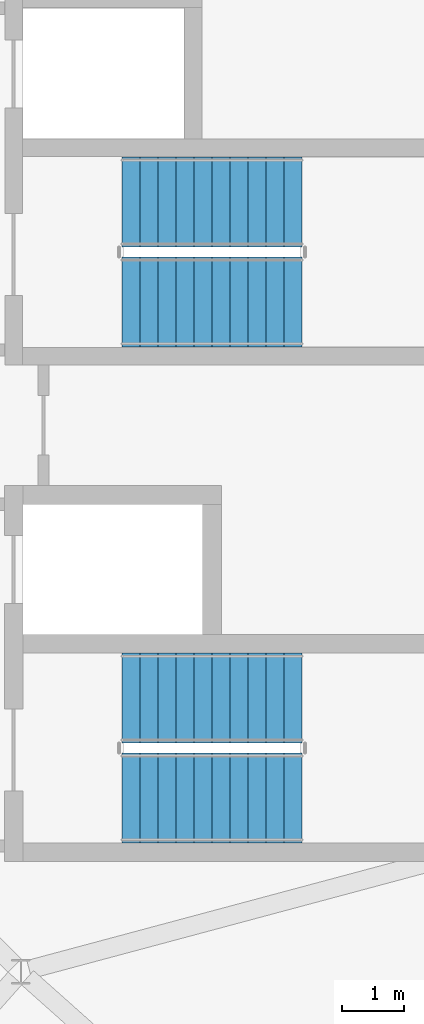
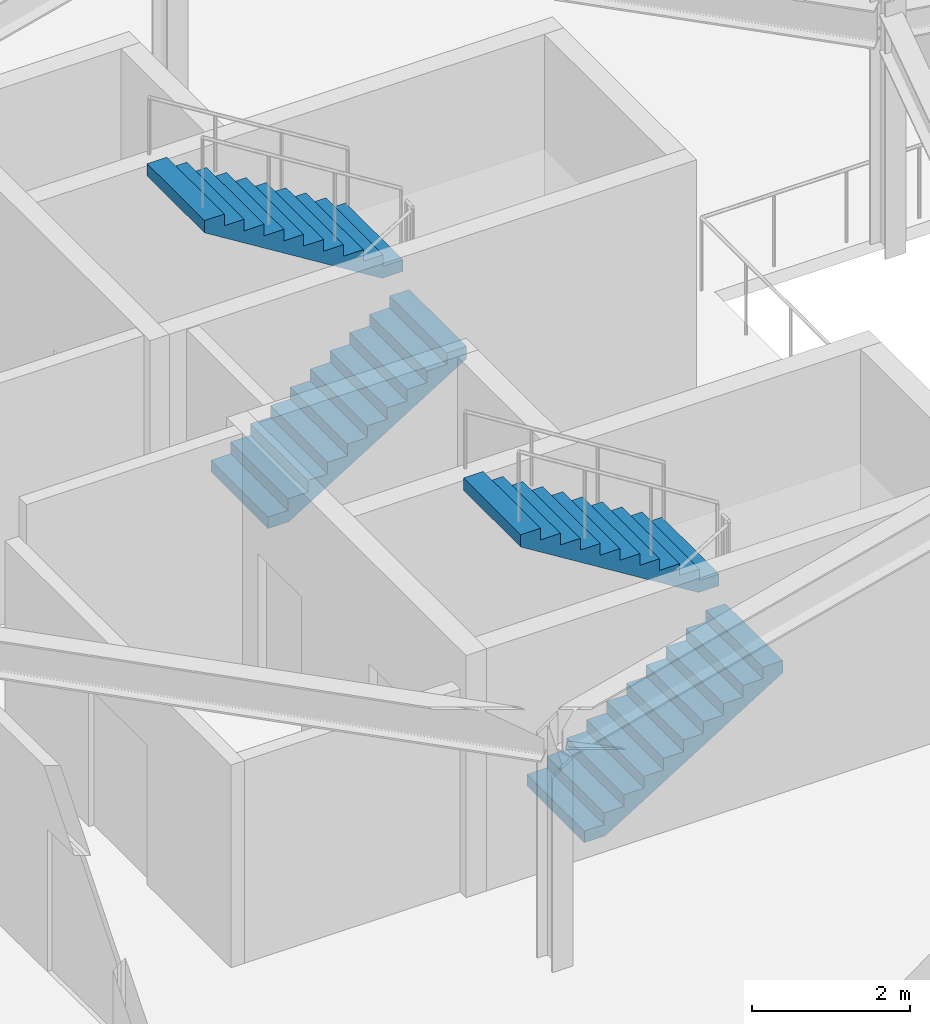
# One storey, part 9 of 11: 4 stair flights, 2 elements without a shape of their own.
"""IFC4 building model written with IfcOpenShell, lengths in metres."""

from ifc_helpers import new_model, si_unit, direction, frame, origin, place, context, subcontext, project, spatial, polyline, outline, extrude, material, type_object, element, aggregate, save


model = new_model("IFC4")

# Units and contexts
model_context = context("Model", 3, precision=1e-05, world=origin(), true_north=direction((0.0, 1.0)))
body_context = subcontext(model_context, "Body", "Model", "MODEL_VIEW")
ifc_project = project(units=[si_unit("LENGTHUNIT", "METRE"), si_unit("AREAUNIT", "SQUARE_METRE"), si_unit("VOLUMEUNIT", "CUBIC_METRE"), si_unit("PLANEANGLEUNIT", "RADIAN"), si_unit("MASSUNIT", "GRAM", prefix="KILO")], contexts=[model_context])

# Site, building, storey
site_placement = place(None, origin())
site = spatial("IfcSite", under=ifc_project, at=site_placement, CompositionType="ELEMENT")
building_placement = place(site_placement, origin())
building = spatial("IfcBuilding", under=site, at=building_placement, Name="Varnklinge Art Gallery", CompositionType="ELEMENT")
storey_placement = place(building_placement, frame((0.0, 0.0, 17.639892578125)))
storey = spatial("IfcBuildingStorey", under=building, at=storey_placement, Name="L04", CompositionType="ELEMENT", Elevation=17.639892578125)

# Stair, stair flights
ifc_material_1 = material(Name="Concrete C40/50", Category="concrete")
stair_type = type_object("IfcStairType", Name="STR-C3960", PredefinedType="HALF_TURN_STAIR", material=ifc_material_1)
stair_1_placement = place(storey_placement, origin())
stair_1 = element("IfcStair", 1, at=stair_1_placement, inside=storey, type_object=stair_type, Name="L04 Core C1 Stair ST-01", PredefinedType="HALF_TURN_STAIR")
ifc_material_2 = material(Name="Concrete C40/50", Category="concrete")
stair_flight_type = type_object("IfcStairFlightType", Name="FLT-C3960", PredefinedType="STRAIGHT", material=ifc_material_2)
stair_flight_1_placement = place(storey_placement, frame((74.699951171875, 32.22509765625, 0.0), z_axis=(0.0, 0.0, 1.0), x_axis=(1.0, 0.0, 0.0)))
stair_flight_1 = element("IfcStairFlight", 2, at=stair_flight_1_placement, type_object=stair_flight_type, Name="ST-01 flight 1", NumberOfRisers=11, NumberOfTreads=10, PredefinedType="STRAIGHT", RiserHeight=0.18, TreadLength=0.29, context=body_context, shape_type="SweptSolid", body=[
    extrude(outline(polyline([(0.0, 0.0), (0.0, 0.179931640625), (0.2900390625, 0.179931640625), (0.2900390625, 0.360107421875), (0.580078125, 0.360107421875), (0.580078125, 0.5400390625), (0.8701171875, 0.5400390625), (0.8701171875, 0.719970703125), (1.159912109375, 0.719970703125), (1.159912109375, 0.89990234375), (1.449951171875, 0.89990234375), (1.449951171875, 1.080078125), (1.739990234375, 1.080078125), (1.739990234375, 1.260009765625), (2.030029296875, 1.260009765625), (2.030029296875, 1.43994140625), (2.320068359375, 1.43994140625), (2.320068359375, 1.6201171875), (2.610107421875, 1.6201171875), (2.610107421875, 1.800048828125), (2.89990234375, 1.800048828125), (2.89990234375, 1.97998046875), (2.89990234375, 1.61181640625), (0.30322265625, 0.0), (0.0, 0.0)])), frame((0.0, 0.72509765625, 0.0), z_axis=(0.0, -1.0, 0.0), x_axis=(1.0, 0.0, 0.0)), (0.0, 0.0, 1.0), 1.449951171875),
])
stair_flight_2_placement = place(storey_placement, frame((77.60009765625, 33.8349609375, 1.980224609375), z_axis=(0.0, 0.0, 1.0), x_axis=(-1.0, 0.0, 0.0)))
stair_flight_2 = element("IfcStairFlight", 3, at=stair_flight_2_placement, type_object=stair_flight_type, Name="ST-01 flight 2", NumberOfRisers=11, NumberOfTreads=10, PredefinedType="STRAIGHT", RiserHeight=0.18, TreadLength=0.29, context=body_context, shape_type="SweptSolid", body=[
    extrude(outline(polyline([(0.0, 0.0), (0.0, 0.179931640625), (0.2900390625, 0.179931640625), (0.2900390625, 0.360107421875), (0.580078125, 0.360107421875), (0.580078125, 0.5400390625), (0.8701171875, 0.5400390625), (0.8701171875, 0.719970703125), (1.159912109375, 0.719970703125), (1.159912109375, 0.89990234375), (1.449951171875, 0.89990234375), (1.449951171875, 1.080078125), (1.739990234375, 1.080078125), (1.739990234375, 1.260009765625), (2.030029296875, 1.260009765625), (2.030029296875, 1.43994140625), (2.320068359375, 1.43994140625), (2.320068359375, 1.6201171875), (2.610107421875, 1.6201171875), (2.610107421875, 1.800048828125), (2.89990234375, 1.800048828125), (2.89990234375, 1.97998046875), (2.89990234375, 1.61181640625), (0.30322265625, 0.0), (0.0, 0.0)])), frame((0.0, 0.72509765625, 0.0), z_axis=(0.0, -1.0, 0.0), x_axis=(1.0, 0.0, 0.0)), (0.0, 0.0, 1.0), 1.449951171875),
])
aggregate(stair_1, [stair_flight_1, stair_flight_2])

stair_2_placement = place(storey_placement, origin())
stair_2 = element("IfcStair", 4, at=stair_2_placement, inside=storey, type_object=stair_type, Name="L04 Core C2 Stair ST-02", PredefinedType="HALF_TURN_STAIR")
stair_flight_3_placement = place(storey_placement, frame((74.699951171875, 40.22509765625, 0.0), z_axis=(0.0, 0.0, 1.0), x_axis=(1.0, 0.0, 0.0)))
stair_flight_3 = element("IfcStairFlight", 5, at=stair_flight_3_placement, type_object=stair_flight_type, Name="ST-02 flight 1", NumberOfRisers=11, NumberOfTreads=10, PredefinedType="STRAIGHT", RiserHeight=0.18, TreadLength=0.29, context=body_context, shape_type="SweptSolid", body=[
    extrude(outline(polyline([(0.0, 0.0), (0.0, 0.179931640625), (0.2900390625, 0.179931640625), (0.2900390625, 0.360107421875), (0.580078125, 0.360107421875), (0.580078125, 0.5400390625), (0.8701171875, 0.5400390625), (0.8701171875, 0.719970703125), (1.159912109375, 0.719970703125), (1.159912109375, 0.89990234375), (1.449951171875, 0.89990234375), (1.449951171875, 1.080078125), (1.739990234375, 1.080078125), (1.739990234375, 1.260009765625), (2.030029296875, 1.260009765625), (2.030029296875, 1.43994140625), (2.320068359375, 1.43994140625), (2.320068359375, 1.6201171875), (2.610107421875, 1.6201171875), (2.610107421875, 1.800048828125), (2.89990234375, 1.800048828125), (2.89990234375, 1.97998046875), (2.89990234375, 1.61181640625), (0.30322265625, 0.0), (0.0, 0.0)])), frame((0.0, 0.72509765625, 0.0), z_axis=(0.0, -1.0, 0.0), x_axis=(1.0, 0.0, 0.0)), (0.0, 0.0, 1.0), 1.449951171875),
])
stair_flight_4_placement = place(storey_placement, frame((77.60009765625, 41.8349609375, 1.980224609375), z_axis=(0.0, 0.0, 1.0), x_axis=(-1.0, 0.0, 0.0)))
stair_flight_4 = element("IfcStairFlight", 6, at=stair_flight_4_placement, type_object=stair_flight_type, Name="ST-02 flight 2", NumberOfRisers=11, NumberOfTreads=10, PredefinedType="STRAIGHT", RiserHeight=0.18, TreadLength=0.29, context=body_context, shape_type="SweptSolid", body=[
    extrude(outline(polyline([(0.0, 0.0), (0.0, 0.179931640625), (0.2900390625, 0.179931640625), (0.2900390625, 0.360107421875), (0.580078125, 0.360107421875), (0.580078125, 0.5400390625), (0.8701171875, 0.5400390625), (0.8701171875, 0.719970703125), (1.159912109375, 0.719970703125), (1.159912109375, 0.89990234375), (1.449951171875, 0.89990234375), (1.449951171875, 1.080078125), (1.739990234375, 1.080078125), (1.739990234375, 1.260009765625), (2.030029296875, 1.260009765625), (2.030029296875, 1.43994140625), (2.320068359375, 1.43994140625), (2.320068359375, 1.6201171875), (2.610107421875, 1.6201171875), (2.610107421875, 1.800048828125), (2.89990234375, 1.800048828125), (2.89990234375, 1.97998046875), (2.89990234375, 1.61181640625), (0.30322265625, 0.0), (0.0, 0.0)])), frame((0.0, 0.72509765625, 0.0), z_axis=(0.0, -1.0, 0.0), x_axis=(1.0, 0.0, 0.0)), (0.0, 0.0, 1.0), 1.449951171875),
])
aggregate(stair_2, [stair_flight_3, stair_flight_4])

save(model, "model.ifc")
